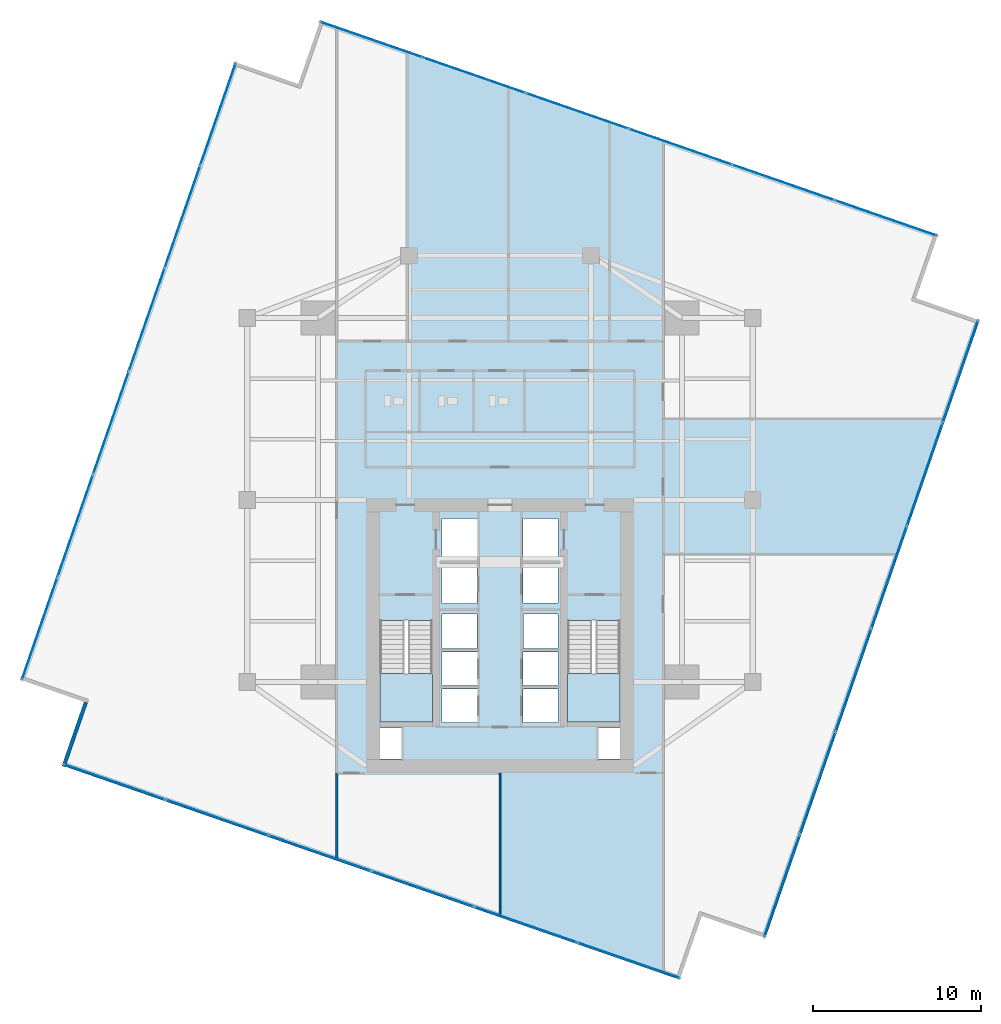
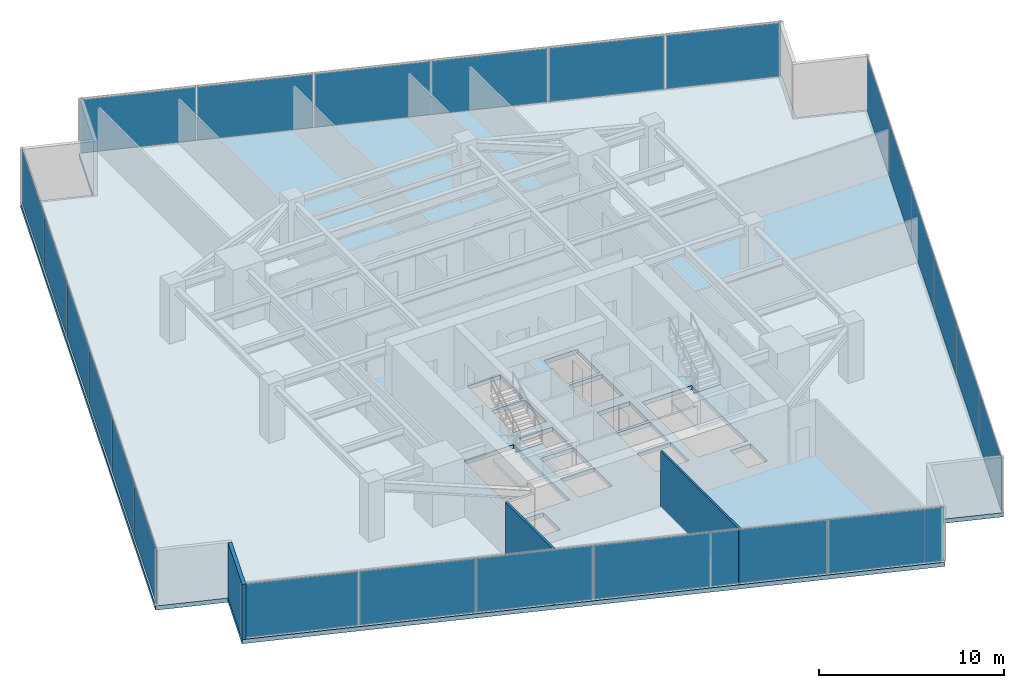
# One storey, part 22 of 28: 24 plates, 3 slabs, 3 walls, 6 elements without a shape of their own.
"""IFC4 building model written with IfcOpenShell, lengths in metres."""

from ifc_helpers import new_model, si_unit, direction, frame, frame_2d, origin, origin_2d, place, context, subcontext, project, spatial, polyline, rectangle, outline, extrude, source, transform, mapped, material, layer, layer_set, type_object, type_shapes, element, aggregate, save


model = new_model("IFC4")

# Units and contexts
model_context = context("Model", 3, precision=1e-05, world=origin(), true_north=direction((0.0, 1.0)))
body_context = subcontext(model_context, "Body", "Model", "MODEL_VIEW")
ifc_project = project(units=[si_unit("LENGTHUNIT", "METRE"), si_unit("AREAUNIT", "SQUARE_METRE"), si_unit("VOLUMEUNIT", "CUBIC_METRE"), si_unit("PLANEANGLEUNIT", "RADIAN"), si_unit("MASSUNIT", "GRAM", prefix="KILO")], contexts=[model_context])

# Site, building, storey
site_placement = place(None, origin())
site = spatial("IfcSite", under=ifc_project, at=site_placement, CompositionType="ELEMENT")
building_placement = place(site_placement, origin())
building = spatial("IfcBuilding", under=site, at=building_placement, Name="Krantzveldt Concourse Tower", CompositionType="ELEMENT")
storey_placement = place(building_placement, frame((0.0, 0.0, 117.699951171875)))
storey = spatial("IfcBuildingStorey", under=building, at=storey_placement, Name="L28", CompositionType="ELEMENT", Elevation=117.699951171875)

# Stair, slab
ifc_material_1 = material(Name="Precast concrete C40/50", Category="concrete")
stair_type = type_object("IfcStairType", Name="STR-CORE-DOGLEG", PredefinedType="HALF_TURN_STAIR", material=ifc_material_1)
stair_1_placement = place(storey_placement, origin())
stair_1 = element("IfcStair", 1, at=stair_1_placement, inside=storey, type_object=stair_type, Name="L28 Protected Escape Stair ST-1", PredefinedType="HALF_TURN_STAIR")
ifc_layer_1 = layer(ifc_material_1, 0.199951171875, Name="Precast concrete C40/50", Category="concrete")
ifc_layer_set_1 = layer_set([ifc_layer_1], Name="Precast concrete C40/50 (SL-LANDING-200)")
slab_type_1 = type_object("IfcSlabType", Name="SL-LANDING-200", PredefinedType="LANDING", material=ifc_layer_set_1)
slab_1_placement = place(storey_placement, frame((0.0, 0.0, 1.775146484375)))
slab_1 = element("IfcSlab", 2, at=slab_1_placement, type_object=slab_type_1, Name="ST-1 landing 1", PredefinedType="LANDING", context=body_context, shape_type="SweptSolid", body=[
    extrude(outline(polyline([(28.8798828125, 16.4150390625), (28.8798828125, 13.52001953125), (31.97998046875, 13.52001953125), (31.97998046875, 16.4150390625), (28.8798828125, 16.4150390625)])), origin(), (0.0, 0.0, 1.0), 0.199951171875),
])
aggregate(stair_1, [slab_1])

stair_2_placement = place(storey_placement, origin())
stair_2 = element("IfcStair", 3, at=stair_2_placement, inside=storey, type_object=stair_type, Name="L28 Protected Escape Stair ST-2", PredefinedType="HALF_TURN_STAIR")
slab_2_placement = place(storey_placement, frame((0.0, 0.0, 1.775146484375)))
slab_2 = element("IfcSlab", 4, at=slab_2_placement, type_object=slab_type_1, Name="ST-2 landing 1", PredefinedType="LANDING", context=body_context, shape_type="SweptSolid", body=[
    extrude(outline(polyline([(40.02001953125, 16.4150390625), (40.02001953125, 13.52001953125), (43.1201171875, 13.52001953125), (43.1201171875, 16.4150390625), (40.02001953125, 16.4150390625)])), origin(), (0.0, 0.0, 1.0), 0.199951171875),
])
aggregate(stair_2, [slab_2])

# Slab
ifc_material_2 = material(Name="Concrete C40/50", Category="concrete")
ifc_layer_2 = layer(ifc_material_2, 0.280029296875, Name="Concrete C40/50", Category="concrete")
ifc_layer_set_2 = layer_set([ifc_layer_2], Name="Concrete C40/50 (SL-SL-TWR280)")
slab_type_2 = type_object("IfcSlabType", Name="SL-SL-TWR280", PredefinedType="FLOOR", material=ifc_layer_set_2)
slab_3_placement = place(storey_placement, frame((0.0, 0.0, -0.280029296875)))
element("IfcSlab", 5, at=slab_3_placement, inside=storey, type_object=slab_type_2, Name="SL-L28-MAIN", PredefinedType="FLOOR", context=body_context, shape_type="SweptSolid", body=[
    extrude(outline(polyline([(24.02685546875, 51.38525390625), (20.24755859375, 52.69580078125), (7.535400390625, 16.037353515625), (11.314697265625, 14.726806640625), (10.004150390625, 10.947509765625), (46.66259765625, -1.764404296875), (47.97314453125, 2.0146484375), (51.75244140625, 0.7041015625), (64.464599609375, 37.36279296875), (60.685302734375, 38.673095703125), (61.995849609375, 42.452392578125), (25.33740234375, 55.16455078125), (24.02685546875, 51.38525390625)]), holes=[polyline([(28.8798828125, 19.547607421875), (28.8798828125, 13.52001953125), (31.97998046875, 13.52001953125), (31.97998046875, 19.547607421875), (28.8798828125, 19.547607421875)]), polyline([(40.02001953125, 19.547607421875), (40.02001953125, 13.52001953125), (43.1201171875, 13.52001953125), (43.1201171875, 19.547607421875), (40.02001953125, 19.547607421875)]), polyline([(32.550048828125, 23.10009765625), (34.64990234375, 23.10009765625), (34.64990234375, 25.60009765625), (32.550048828125, 25.60009765625), (32.550048828125, 23.10009765625)]), polyline([(37.35009765625, 23.10009765625), (39.449951171875, 23.10009765625), (39.449951171875, 25.60009765625), (37.35009765625, 25.60009765625), (37.35009765625, 23.10009765625)]), polyline([(37.35009765625, 20.60009765625), (39.449951171875, 20.60009765625), (39.449951171875, 22.89990234375), (37.35009765625, 22.89990234375), (37.35009765625, 20.60009765625)]), polyline([(32.550048828125, 13.47998046875), (34.64990234375, 13.47998046875), (34.64990234375, 15.47998046875), (32.550048828125, 15.47998046875), (32.550048828125, 13.47998046875)]), polyline([(32.550048828125, 15.679931640625), (34.64990234375, 15.679931640625), (34.64990234375, 17.679931640625), (32.550048828125, 17.679931640625), (32.550048828125, 15.679931640625)]), polyline([(37.35009765625, 13.47998046875), (39.449951171875, 13.47998046875), (39.449951171875, 15.47998046875), (37.35009765625, 15.47998046875), (37.35009765625, 13.47998046875)]), polyline([(37.35009765625, 15.679931640625), (39.449951171875, 15.679931640625), (39.449951171875, 17.679931640625), (37.35009765625, 17.679931640625), (37.35009765625, 15.679931640625)]), polyline([(32.550048828125, 20.550048828125), (34.6201171875, 20.550048828125), (34.6201171875, 22.89990234375), (32.550048828125, 22.89990234375), (32.550048828125, 20.550048828125)]), polyline([(32.550048828125, 17.8798828125), (34.6201171875, 17.8798828125), (34.6201171875, 19.919921875), (32.550048828125, 19.919921875), (32.550048828125, 17.8798828125)]), polyline([(37.3798828125, 17.8798828125), (39.449951171875, 17.8798828125), (39.449951171875, 19.919921875), (37.3798828125, 19.919921875), (37.3798828125, 17.8798828125)]), polyline([(28.8798828125, 11.320068359375), (30.139892578125, 11.320068359375), (30.139892578125, 13.159912109375), (28.8798828125, 13.159912109375), (28.8798828125, 11.320068359375)]), polyline([(41.860107421875, 11.320068359375), (43.1201171875, 11.320068359375), (43.1201171875, 13.159912109375), (41.860107421875, 13.159912109375), (41.860107421875, 11.320068359375)])]), origin(), (0.0, 0.0, 1.0), 0.280029296875),
])

# Curtain wall, plates
ifc_material_3 = material(Name="Anodised aluminium 6063-T6", Category="aluminium")
curtain_wall_type = type_object("IfcCurtainWallType", Name="CW2", PredefinedType="USERDEFINED", material=ifc_material_3)
curtain_wall_1_placement = place(storey_placement, origin())
curtain_wall_1 = element("IfcCurtainWall", 6, at=curtain_wall_1_placement, inside=storey, type_object=curtain_wall_type, Name="CW-L28-F01", ObjectType="UNITISED CURTAIN WALL", PredefinedType="USERDEFINED")
ifc_material_4 = material(Name="Bronze-tinted laminated low-E IGU glass", Category="glass")
ifc_layer_3 = layer(ifc_material_4, 0.031982421875, Name="Bronze-tinted laminated low-E IGU glass", Category="glass")
ifc_layer_set_3 = layer_set([ifc_layer_3], Name="Bronze-tinted laminated low-E IGU glass (CW-GLZ-32)")
plate_type = type_object("IfcPlateType", Name="CW-GLZ-32", PredefinedType="CURTAIN_PANEL", material=ifc_layer_set_3)
shared_shape_1 = source(origin(), body_context, "Body", "SweptSolid", [
    extrude(rectangle(XDim=6.361572265625, YDim=0.031982421875, at=origin_2d()), origin(), (0.0, 0.0, 1.0), 3.530029296875),
])
plate_1_placement = place(storey_placement, frame((19.267578125, 49.594970703125, 0.06982421875), z_axis=(0.0, 0.0, 1.0), x_axis=(-0.32763019404, -0.944806041446, 0.0)))
plate_1 = element("IfcPlate", 7, at=plate_1_placement, type_object=plate_type, Name="CW-Z12 panel 1.1", PredefinedType="CURTAIN_PANEL", context=body_context, shape_type="MappedRepresentation", body=[
    mapped(shared_shape_1, transform((0.0, 0.0, 0.0), x_axis=(1.0, 0.0, 0.0), y_axis=(0.0, 1.0, 0.0), z_axis=(0.0, 0.0, 1.0), scale=1.0)),
])
plate_2_placement = place(storey_placement, frame((8.685546875, 19.079345703125, 0.06982421875), z_axis=(0.0, 0.0, 1.0), x_axis=(-0.32763019404, -0.944806041446, 0.0)))
plate_2 = element("IfcPlate", 8, at=plate_2_placement, type_object=plate_type, Name="CW-Z12 panel 6.1", PredefinedType="CURTAIN_PANEL", context=body_context, shape_type="MappedRepresentation", body=[
    mapped(shared_shape_1, transform((0.0, 0.0, 0.0), x_axis=(1.0, 0.0, 0.0), y_axis=(0.0, 1.0, 0.0), z_axis=(0.0, 0.0, 1.0), scale=1.0)),
])

curtain_wall_2_placement = place(storey_placement, origin())
curtain_wall_2 = element("IfcCurtainWall", 9, at=curtain_wall_2_placement, inside=storey, type_object=curtain_wall_type, Name="CW-L28-F04", ObjectType="UNITISED CURTAIN WALL", PredefinedType="USERDEFINED")
plate_3_placement = place(storey_placement, frame((13.105224609375, 9.967529296875, 0.06982421875), z_axis=(0.0, 0.0, 1.0), x_axis=(0.944806041446, -0.32763019404, 0.0)))
plate_3 = element("IfcPlate", 10, at=plate_3_placement, type_object=plate_type, Name="CW-Z12 panel 1.1", PredefinedType="CURTAIN_PANEL", context=body_context, shape_type="MappedRepresentation", body=[
    mapped(shared_shape_1, transform((0.0, 0.0, 0.0), x_axis=(1.0, 0.0, 0.0), y_axis=(0.0, 1.0, 0.0), z_axis=(0.0, 0.0, 1.0), scale=1.0)),
])
plate_4_placement = place(storey_placement, frame((43.620849609375, -0.614501953125, 0.06982421875), z_axis=(0.0, 0.0, 1.0), x_axis=(0.944806041446, -0.32763019404, 0.0)))
plate_4 = element("IfcPlate", 11, at=plate_4_placement, type_object=plate_type, Name="CW-Z12 panel 6.1", PredefinedType="CURTAIN_PANEL", context=body_context, shape_type="MappedRepresentation", body=[
    mapped(shared_shape_1, transform((0.0, 0.0, 0.0), x_axis=(1.0, 0.0, 0.0), y_axis=(0.0, 1.0, 0.0), z_axis=(0.0, 0.0, 1.0), scale=1.0)),
])

curtain_wall_3_placement = place(storey_placement, origin())
curtain_wall_3 = element("IfcCurtainWall", 12, at=curtain_wall_3_placement, inside=storey, type_object=curtain_wall_type, Name="CW-L28-F07", ObjectType="UNITISED CURTAIN WALL", PredefinedType="USERDEFINED")
plate_5_placement = place(storey_placement, frame((52.732421875, 3.80517578125, 0.06982421875), z_axis=(0.0, 0.0, 1.0), x_axis=(0.32763019404, 0.944806041446, 0.0)))
plate_5 = element("IfcPlate", 13, at=plate_5_placement, type_object=plate_type, Name="CW-Z12 panel 1.1", PredefinedType="CURTAIN_PANEL", context=body_context, shape_type="MappedRepresentation", body=[
    mapped(shared_shape_1, transform((0.0, 0.0, 0.0), x_axis=(1.0, 0.0, 0.0), y_axis=(0.0, 1.0, 0.0), z_axis=(0.0, 0.0, 1.0), scale=1.0)),
])
plate_6_placement = place(storey_placement, frame((63.314453125, 34.32080078125, 0.06982421875), z_axis=(0.0, 0.0, 1.0), x_axis=(0.32763019404, 0.944806041446, 0.0)))
plate_6 = element("IfcPlate", 14, at=plate_6_placement, type_object=plate_type, Name="CW-Z12 panel 6.1", PredefinedType="CURTAIN_PANEL", context=body_context, shape_type="MappedRepresentation", body=[
    mapped(shared_shape_1, transform((0.0, 0.0, 0.0), x_axis=(1.0, 0.0, 0.0), y_axis=(0.0, 1.0, 0.0), z_axis=(0.0, 0.0, 1.0), scale=1.0)),
])

curtain_wall_4_placement = place(storey_placement, origin())
curtain_wall_4 = element("IfcCurtainWall", 15, at=curtain_wall_4_placement, inside=storey, type_object=curtain_wall_type, Name="CW-L28-F10", ObjectType="UNITISED CURTAIN WALL", PredefinedType="USERDEFINED")
plate_7_placement = place(storey_placement, frame((58.894775390625, 43.432373046875, 0.06982421875), z_axis=(0.0, 0.0, 1.0), x_axis=(-0.944806041446, 0.32763019404, 0.0)))
plate_7 = element("IfcPlate", 16, at=plate_7_placement, type_object=plate_type, Name="CW-Z12 panel 1.1", PredefinedType="CURTAIN_PANEL", context=body_context, shape_type="MappedRepresentation", body=[
    mapped(shared_shape_1, transform((0.0, 0.0, 0.0), x_axis=(1.0, 0.0, 0.0), y_axis=(0.0, 1.0, 0.0), z_axis=(0.0, 0.0, 1.0), scale=1.0)),
])
plate_8_placement = place(storey_placement, frame((28.379150390625, 54.014404296875, 0.06982421875), z_axis=(0.0, 0.0, 1.0), x_axis=(-0.944806041446, 0.32763019404, 0.0)))
plate_8 = element("IfcPlate", 17, at=plate_8_placement, type_object=plate_type, Name="CW-Z12 panel 6.1", PredefinedType="CURTAIN_PANEL", context=body_context, shape_type="MappedRepresentation", body=[
    mapped(shared_shape_1, transform((0.0, 0.0, 0.0), x_axis=(1.0, 0.0, 0.0), y_axis=(0.0, 1.0, 0.0), z_axis=(0.0, 0.0, 1.0), scale=1.0)),
])

# Plate
shared_shape_2 = source(origin(), body_context, "Body", "SweptSolid", [
    extrude(rectangle(XDim=6.396728515625, YDim=0.031982421875, at=origin_2d()), origin(), (0.0, 0.0, 1.0), 3.530029296875),
])
type_shapes(plate_type, [shared_shape_1, shared_shape_2])
plate_9_placement = place(storey_placement, frame((17.154541015625, 43.501708984375, 0.06982421875), z_axis=(0.0, 0.0, 1.0), x_axis=(-0.32763019404, -0.944806041446, 0.0)))
plate_9 = element("IfcPlate", 18, at=plate_9_placement, type_object=plate_type, Name="CW-Z12 panel 2.1", PredefinedType="CURTAIN_PANEL", context=body_context, shape_type="MappedRepresentation", body=[
    mapped(shared_shape_2, transform((0.0, 0.0, 0.0), x_axis=(1.0, 0.0, 0.0), y_axis=(0.0, 1.0, 0.0), z_axis=(0.0, 0.0, 1.0), scale=1.0)),
])

plate_10_placement = place(storey_placement, frame((15.035888671875, 37.391845703125, 0.06982421875), z_axis=(0.0, 0.0, 1.0), x_axis=(-0.32763019404, -0.944806041446, 0.0)))
plate_10 = element("IfcPlate", 19, at=plate_10_placement, type_object=plate_type, Name="CW-Z12 panel 3.1", PredefinedType="CURTAIN_PANEL", context=body_context, shape_type="MappedRepresentation", body=[
    mapped(shared_shape_2, transform((0.0, 0.0, 0.0), x_axis=(1.0, 0.0, 0.0), y_axis=(0.0, 1.0, 0.0), z_axis=(0.0, 0.0, 1.0), scale=1.0)),
])

plate_11_placement = place(storey_placement, frame((12.917236328125, 31.2822265625, 0.06982421875), z_axis=(0.0, 0.0, 1.0), x_axis=(-0.32763019404, -0.944806041446, 0.0)))
plate_11 = element("IfcPlate", 20, at=plate_11_placement, type_object=plate_type, Name="CW-Z12 panel 4.1", PredefinedType="CURTAIN_PANEL", context=body_context, shape_type="MappedRepresentation", body=[
    mapped(shared_shape_2, transform((0.0, 0.0, 0.0), x_axis=(1.0, 0.0, 0.0), y_axis=(0.0, 1.0, 0.0), z_axis=(0.0, 0.0, 1.0), scale=1.0)),
])

plate_12_placement = place(storey_placement, frame((10.798583984375, 25.17236328125, 0.06982421875), z_axis=(0.0, 0.0, 1.0), x_axis=(-0.32763019404, -0.944806041446, 0.0)))
plate_12 = element("IfcPlate", 21, at=plate_12_placement, type_object=plate_type, Name="CW-Z12 panel 5.1", PredefinedType="CURTAIN_PANEL", context=body_context, shape_type="MappedRepresentation", body=[
    mapped(shared_shape_2, transform((0.0, 0.0, 0.0), x_axis=(1.0, 0.0, 0.0), y_axis=(0.0, 1.0, 0.0), z_axis=(0.0, 0.0, 1.0), scale=1.0)),
])

aggregate(curtain_wall_1, [plate_1, plate_9, plate_10, plate_11, plate_12, plate_2])

plate_13_placement = place(storey_placement, frame((19.1982421875, 7.8544921875, 0.06982421875), z_axis=(0.0, 0.0, 1.0), x_axis=(0.944806041446, -0.32763019404, 0.0)))
plate_13 = element("IfcPlate", 22, at=plate_13_placement, type_object=plate_type, Name="CW-Z12 panel 2.1", PredefinedType="CURTAIN_PANEL", context=body_context, shape_type="MappedRepresentation", body=[
    mapped(shared_shape_2, transform((0.0, 0.0, 0.0), x_axis=(1.0, 0.0, 0.0), y_axis=(0.0, 1.0, 0.0), z_axis=(0.0, 0.0, 1.0), scale=1.0)),
])

plate_14_placement = place(storey_placement, frame((25.30810546875, 5.73583984375, 0.06982421875), z_axis=(0.0, 0.0, 1.0), x_axis=(0.944806041446, -0.32763019404, 0.0)))
plate_14 = element("IfcPlate", 23, at=plate_14_placement, type_object=plate_type, Name="CW-Z12 panel 3.1", PredefinedType="CURTAIN_PANEL", context=body_context, shape_type="MappedRepresentation", body=[
    mapped(shared_shape_2, transform((0.0, 0.0, 0.0), x_axis=(1.0, 0.0, 0.0), y_axis=(0.0, 1.0, 0.0), z_axis=(0.0, 0.0, 1.0), scale=1.0)),
])

plate_15_placement = place(storey_placement, frame((31.417724609375, 3.6171875, 0.06982421875), z_axis=(0.0, 0.0, 1.0), x_axis=(0.944806041446, -0.32763019404, 0.0)))
plate_15 = element("IfcPlate", 24, at=plate_15_placement, type_object=plate_type, Name="CW-Z12 panel 4.1", PredefinedType="CURTAIN_PANEL", context=body_context, shape_type="MappedRepresentation", body=[
    mapped(shared_shape_2, transform((0.0, 0.0, 0.0), x_axis=(1.0, 0.0, 0.0), y_axis=(0.0, 1.0, 0.0), z_axis=(0.0, 0.0, 1.0), scale=1.0)),
])

plate_16_placement = place(storey_placement, frame((37.527587890625, 1.49853515625, 0.06982421875), z_axis=(0.0, 0.0, 1.0), x_axis=(0.944806041446, -0.32763019404, 0.0)))
plate_16 = element("IfcPlate", 25, at=plate_16_placement, type_object=plate_type, Name="CW-Z12 panel 5.1", PredefinedType="CURTAIN_PANEL", context=body_context, shape_type="MappedRepresentation", body=[
    mapped(shared_shape_2, transform((0.0, 0.0, 0.0), x_axis=(1.0, 0.0, 0.0), y_axis=(0.0, 1.0, 0.0), z_axis=(0.0, 0.0, 1.0), scale=1.0)),
])

aggregate(curtain_wall_2, [plate_3, plate_13, plate_14, plate_15, plate_16, plate_4])

plate_17_placement = place(storey_placement, frame((54.845458984375, 9.8984375, 0.06982421875), z_axis=(0.0, 0.0, 1.0), x_axis=(0.32763019404, 0.944806041446, 0.0)))
plate_17 = element("IfcPlate", 26, at=plate_17_placement, type_object=plate_type, Name="CW-Z12 panel 2.1", PredefinedType="CURTAIN_PANEL", context=body_context, shape_type="MappedRepresentation", body=[
    mapped(shared_shape_2, transform((0.0, 0.0, 0.0), x_axis=(1.0, 0.0, 0.0), y_axis=(0.0, 1.0, 0.0), z_axis=(0.0, 0.0, 1.0), scale=1.0)),
])

plate_18_placement = place(storey_placement, frame((56.964111328125, 16.008056640625, 0.06982421875), z_axis=(0.0, 0.0, 1.0), x_axis=(0.32763019404, 0.944806041446, 0.0)))
plate_18 = element("IfcPlate", 27, at=plate_18_placement, type_object=plate_type, Name="CW-Z12 panel 3.1", PredefinedType="CURTAIN_PANEL", context=body_context, shape_type="MappedRepresentation", body=[
    mapped(shared_shape_2, transform((0.0, 0.0, 0.0), x_axis=(1.0, 0.0, 0.0), y_axis=(0.0, 1.0, 0.0), z_axis=(0.0, 0.0, 1.0), scale=1.0)),
])

plate_19_placement = place(storey_placement, frame((59.082763671875, 22.117919921875, 0.06982421875), z_axis=(0.0, 0.0, 1.0), x_axis=(0.32763019404, 0.944806041446, 0.0)))
plate_19 = element("IfcPlate", 28, at=plate_19_placement, type_object=plate_type, Name="CW-Z12 panel 4.1", PredefinedType="CURTAIN_PANEL", context=body_context, shape_type="MappedRepresentation", body=[
    mapped(shared_shape_2, transform((0.0, 0.0, 0.0), x_axis=(1.0, 0.0, 0.0), y_axis=(0.0, 1.0, 0.0), z_axis=(0.0, 0.0, 1.0), scale=1.0)),
])

plate_20_placement = place(storey_placement, frame((61.201416015625, 28.2275390625, 0.06982421875), z_axis=(0.0, 0.0, 1.0), x_axis=(0.32763019404, 0.944806041446, 0.0)))
plate_20 = element("IfcPlate", 29, at=plate_20_placement, type_object=plate_type, Name="CW-Z12 panel 5.1", PredefinedType="CURTAIN_PANEL", context=body_context, shape_type="MappedRepresentation", body=[
    mapped(shared_shape_2, transform((0.0, 0.0, 0.0), x_axis=(1.0, 0.0, 0.0), y_axis=(0.0, 1.0, 0.0), z_axis=(0.0, 0.0, 1.0), scale=1.0)),
])

aggregate(curtain_wall_3, [plate_5, plate_17, plate_18, plate_19, plate_20, plate_6])

plate_21_placement = place(storey_placement, frame((52.8017578125, 45.54541015625, 0.06982421875), z_axis=(0.0, 0.0, 1.0), x_axis=(-0.944806041446, 0.32763019404, 0.0)))
plate_21 = element("IfcPlate", 30, at=plate_21_placement, type_object=plate_type, Name="CW-Z12 panel 2.1", PredefinedType="CURTAIN_PANEL", context=body_context, shape_type="MappedRepresentation", body=[
    mapped(shared_shape_2, transform((0.0, 0.0, 0.0), x_axis=(1.0, 0.0, 0.0), y_axis=(0.0, 1.0, 0.0), z_axis=(0.0, 0.0, 1.0), scale=1.0)),
])

plate_22_placement = place(storey_placement, frame((46.69189453125, 47.6640625, 0.06982421875), z_axis=(0.0, 0.0, 1.0), x_axis=(-0.944806041446, 0.32763019404, 0.0)))
plate_22 = element("IfcPlate", 31, at=plate_22_placement, type_object=plate_type, Name="CW-Z12 panel 3.1", PredefinedType="CURTAIN_PANEL", context=body_context, shape_type="MappedRepresentation", body=[
    mapped(shared_shape_2, transform((0.0, 0.0, 0.0), x_axis=(1.0, 0.0, 0.0), y_axis=(0.0, 1.0, 0.0), z_axis=(0.0, 0.0, 1.0), scale=1.0)),
])

plate_23_placement = place(storey_placement, frame((40.582275390625, 49.78271484375, 0.06982421875), z_axis=(0.0, 0.0, 1.0), x_axis=(-0.944806041446, 0.32763019404, 0.0)))
plate_23 = element("IfcPlate", 32, at=plate_23_placement, type_object=plate_type, Name="CW-Z12 panel 4.1", PredefinedType="CURTAIN_PANEL", context=body_context, shape_type="MappedRepresentation", body=[
    mapped(shared_shape_2, transform((0.0, 0.0, 0.0), x_axis=(1.0, 0.0, 0.0), y_axis=(0.0, 1.0, 0.0), z_axis=(0.0, 0.0, 1.0), scale=1.0)),
])

plate_24_placement = place(storey_placement, frame((34.472412109375, 51.9013671875, 0.06982421875), z_axis=(0.0, 0.0, 1.0), x_axis=(-0.944806041446, 0.32763019404, 0.0)))
plate_24 = element("IfcPlate", 33, at=plate_24_placement, type_object=plate_type, Name="CW-Z12 panel 5.1", PredefinedType="CURTAIN_PANEL", context=body_context, shape_type="MappedRepresentation", body=[
    mapped(shared_shape_2, transform((0.0, 0.0, 0.0), x_axis=(1.0, 0.0, 0.0), y_axis=(0.0, 1.0, 0.0), z_axis=(0.0, 0.0, 1.0), scale=1.0)),
])

aggregate(curtain_wall_4, [plate_7, plate_21, plate_22, plate_23, plate_24, plate_8])

# Walls
ifc_layer_4 = layer(ifc_material_3, 0.219970703125, Name="Anodised aluminium 6063-T6", Category="aluminium")
ifc_layer_set_4 = layer_set([ifc_layer_4], Name="Anodised aluminium 6063-T6 (WL-EXT-NOTCH220)")
wall_type_1 = type_object("IfcWallType", Name="WL-EXT-NOTCH220", PredefinedType="ELEMENTEDWALL", material=ifc_layer_set_4)
wall_1_placement = place(storey_placement, frame((11.418701171875, 14.690673828125, 0.0), z_axis=(0.0, 0.0, 1.0), x_axis=(-0.327668839181, -0.944792639593, 0.0)))
element("IfcWall", 34, at=wall_1_placement, inside=storey, type_object=wall_type_1, Name="EW-L28-NCH03", PredefinedType="ELEMENTEDWALL", context=body_context, shape_type="SweptSolid", body=[
    extrude(rectangle(XDim=4.02490234375, YDim=0.219970703125, at=frame_2d((2.012451171875, 0.0))), origin(), (0.0, 0.0, 1.0), 3.670166015625),
])
ifc_material_5 = material(Name="Fire-rated gypsum plasterboard on steel stud", Category="steel")
ifc_layer_5 = layer(ifc_material_5, 0.1201171875, Name="Fire-rated gypsum plasterboard on steel stud", Category="steel")
ifc_layer_set_5 = layer_set([ifc_layer_5], Name="Fire-rated gypsum plasterboard on steel stud (WL-PART-120)")
wall_type_2 = type_object("IfcWallType", Name="WL-PART-120", PredefinedType="PARTITIONING", material=ifc_layer_set_5)
wall_2_placement = place(storey_placement, frame((36.0, 2.0283203125, 0.0), z_axis=(0.0, 0.0, 1.0), x_axis=(0.0, 1.0, 0.0)))
element("IfcWall", 35, at=wall_2_placement, inside=storey, type_object=wall_type_2, Name="WP-L28-SMD", PredefinedType="PARTITIONING", context=body_context, shape_type="SweptSolid", body=[
    extrude(rectangle(XDim=8.4716796875, YDim=0.1201171875, at=frame_2d((4.23583984375, 0.0))), origin(), (0.0, 0.0, 1.0), 3.670166015625),
])
ifc_layer_6 = layer(ifc_material_5, 0.139892578125, Name="Fire-rated gypsum plasterboard on steel stud", Category="steel")
ifc_layer_set_6 = layer_set([ifc_layer_6], Name="Fire-rated gypsum plasterboard on steel stud (WL-PART-140)")
wall_type_3 = type_object("IfcWallType", Name="WL-PART-140", PredefinedType="PARTITIONING", material=ifc_layer_set_6)
wall_3_placement = place(storey_placement, frame((26.320068359375, 5.385009765625, 0.0), z_axis=(0.0, 0.0, 1.0), x_axis=(0.0, 1.0, 0.0)))
element("IfcWall", 36, at=wall_3_placement, inside=storey, type_object=wall_type_3, Name="WP-L28-SWL", PredefinedType="PARTITIONING", context=body_context, shape_type="SweptSolid", body=[
    extrude(rectangle(XDim=5.114990234375, YDim=0.139892578125, at=frame_2d((2.5576171875, 0.0))), origin(), (0.0, 0.0, 1.0), 3.670166015625),
])

save(model, "model.ifc")
